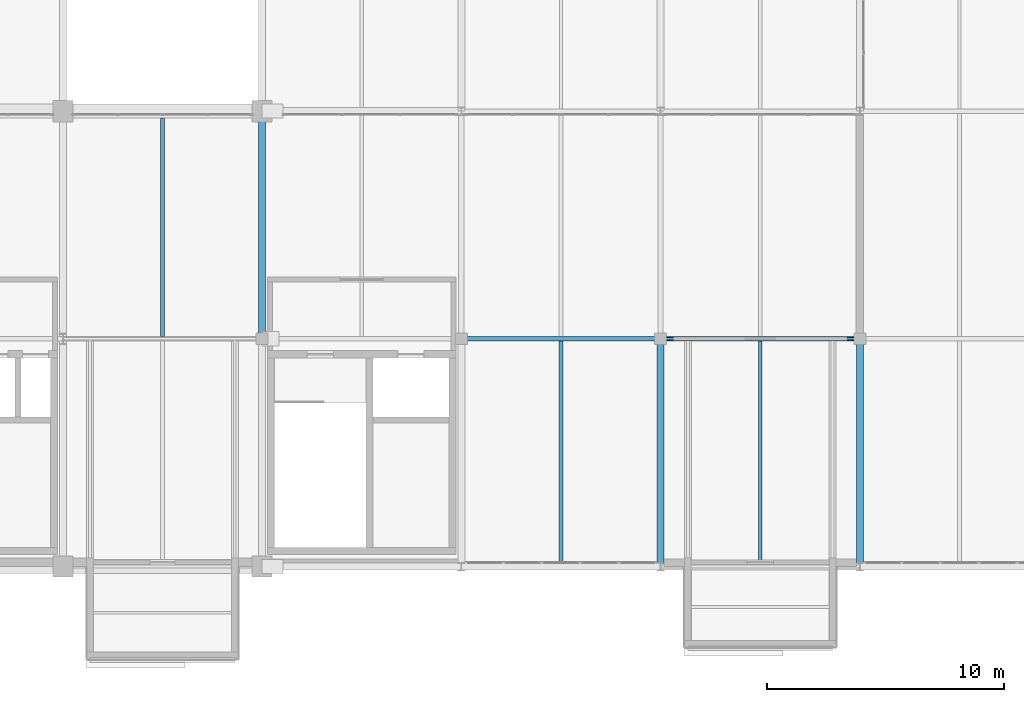
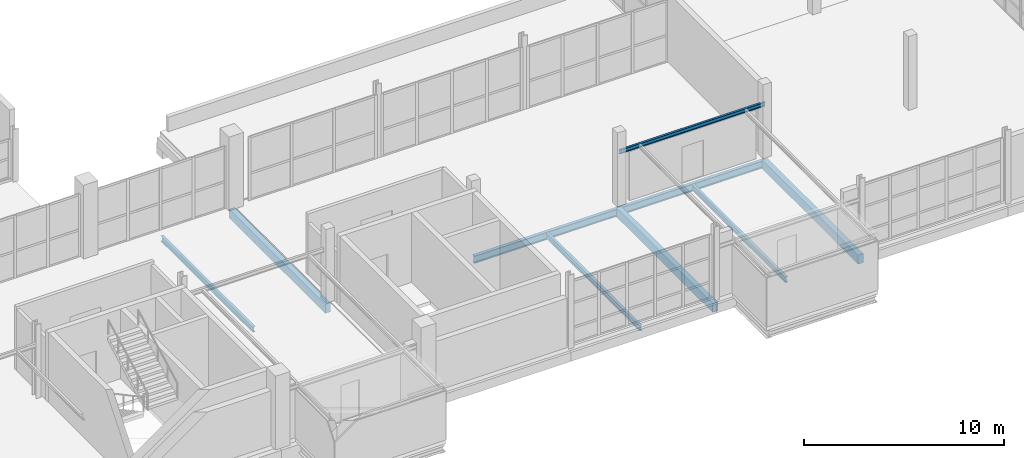
# One storey, part 48 of 103: 9 beams.
"""IFC4 building model written with IfcOpenShell, lengths in metres."""

from ifc_helpers import new_model, si_unit, direction, frame, origin, origin_2d, place, context, subcontext, project, spatial, rectangle, i_section, extrude, material, material_profile, profile_set, type_object, element, save


model = new_model("IFC4")

# Units and contexts
model_context = context("Model", 3, precision=1e-05, world=origin(), true_north=direction((0.0, 1.0)))
body_context = subcontext(model_context, "Body", "Model", "MODEL_VIEW")
ifc_project = project(units=[si_unit("LENGTHUNIT", "METRE"), si_unit("AREAUNIT", "SQUARE_METRE"), si_unit("VOLUMEUNIT", "CUBIC_METRE"), si_unit("PLANEANGLEUNIT", "RADIAN"), si_unit("MASSUNIT", "GRAM", prefix="KILO")], contexts=[model_context])

# Site, building, storey
site_placement = place(None, origin())
site = spatial("IfcSite", under=ifc_project, at=site_placement, CompositionType="ELEMENT")
building_placement = place(site_placement, origin())
building = spatial("IfcBuilding", under=site, at=building_placement, Name="Veltarok Museum of Natural Sciences", CompositionType="ELEMENT")
storey_placement = place(building_placement, frame((0.0, 0.0, 21.89990234375)))
storey = spatial("IfcBuildingStorey", under=building, at=storey_placement, Name="L04", CompositionType="ELEMENT", Elevation=21.89990234375)

# Beams
ifc_material_1 = material(Name="Steel S355J2", Category="steel")
ifc_material_profile_1 = material_profile(ifc_material_1, i_section(OverallWidth=0.1201171875, OverallDepth=0.239990234375, WebThickness=0.006103515625, FlangeThickness=0.009765625, FilletRadius=0.014892578125, at=origin_2d()), Name="IPE 240")
ifc_profile_set_1 = profile_set([ifc_material_profile_1], Name="Steel S355J2")
beam_type_1 = type_object("IfcBeamType", Name="Cabinet Box Secondary Joist IPE 240", PredefinedType="JOIST", material=ifc_profile_set_1)
beam_1_placement = place(storey_placement, frame((124.0, 9.60009765625, 3.130126953125), z_axis=(1.0, 0.0, 0.0), x_axis=(0.0, 1.0, 0.0)))
element("IfcBeam", 1, at=beam_1_placement, inside=storey, type_object=beam_type_1, Name="Cabinet Roof Tie Beam DB-24-I", PredefinedType="JOIST", context=body_context, shape_type="SweptSolid", body=[
    extrude(i_section(OverallWidth=0.1201171875, OverallDepth=0.239990234375, WebThickness=0.006103515625, FlangeThickness=0.009765625, FilletRadius=0.014892578125, at=origin_2d()), origin(), (0.0, 0.0, 1.0), 8.39990234375),
])
ifc_material_2 = material(Name="Precast concrete C40/50", Category="concrete")
ifc_material_profile_2 = material_profile(ifc_material_2, rectangle(XDim=0.300048828125, YDim=0.550048828125, at=origin_2d()), Name="RC 300x550")
ifc_profile_set_2 = profile_set([ifc_material_profile_2], Name="Precast concrete C40/50")
beam_type_2 = type_object("IfcBeamType", Name="East Wing Precast Spandrel RC 300x550", PredefinedType="SPANDREL", material=ifc_profile_set_2)
beam_2_placement = place(storey_placement, frame((107.199951171875, 9.60009765625, -0.52490234375), z_axis=(0.0, 1.0, 0.0), x_axis=(-1.0, 0.0, 0.0)))
element("IfcBeam", 2, at=beam_2_placement, inside=storey, type_object=beam_type_2, Name="Beam BM-SP02 L04 13/B-C", PredefinedType="SPANDREL", context=body_context, shape_type="SweptSolid", body=[
    extrude(rectangle(XDim=0.300048828125, YDim=0.550048828125, at=origin_2d()), origin(), (0.0, 0.0, 1.0), 9.599853515625),
])
for number, where, z_axis, x_axis, name in (
    (3, (124.0, 0.0, -0.52490234375), (0.0, 1.0, 0.0), (-1.0, 0.0, 0.0), "Beam BM-SP02 L04 15/A-B"),
    (4, (132.39990234375, 0.0, -0.52490234375), (0.0, 1.0, 0.0), (-1.0, 0.0, 0.0), "Beam BM-SP02 L04 16/A-B"),
):
    element("IfcBeam", number, at=place(storey_placement, frame(where, z_axis=z_axis, x_axis=x_axis)), inside=storey, type_object=beam_type_2, Name=name, PredefinedType="SPANDREL", context=body_context, shape_type="SweptSolid", body=[
        extrude(rectangle(XDim=0.300048828125, YDim=0.550048828125, at=origin_2d()), origin(), (0.0, 0.0, 1.0), 9.60009765625),
    ])
ifc_material_profile_3 = material_profile(ifc_material_1, i_section(OverallWidth=0.18994140625, OverallDepth=0.449951171875, WebThickness=0.009521484375, FlangeThickness=0.0146484375, FilletRadius=0.02099609375, at=origin_2d()), Name="IPE 450")
ifc_profile_set_3 = profile_set([ifc_material_profile_3], Name="Steel S355J2")
beam_type_3 = type_object("IfcBeamType", Name="Laboratory Floor Girder IPE 450", PredefinedType="BEAM", material=ifc_profile_set_3)
for number, where, z_axis, x_axis, name in (
    (5, (115.60009765625, 9.60009765625, -0.474853515625), (1.0, 0.0, 0.0), (0.0, 1.0, 0.0), "Beam BM-G05 L04 14-15/B"),
    (6, (124.0, 9.60009765625, -0.474853515625), (1.0, 0.0, 0.0), (0.0, 1.0, 0.0), "Beam BM-G05 L04 15-16/B"),
):
    element("IfcBeam", number, at=place(storey_placement, frame(where, z_axis=z_axis, x_axis=x_axis)), inside=storey, type_object=beam_type_3, Name=name, PredefinedType="BEAM", context=body_context, shape_type="SweptSolid", body=[
        extrude(i_section(OverallWidth=0.18994140625, OverallDepth=0.449951171875, WebThickness=0.009521484375, FlangeThickness=0.0146484375, FilletRadius=0.02099609375, at=origin_2d()), origin(), (0.0, 0.0, 1.0), 8.39990234375),
    ])
ifc_material_profile_4 = material_profile(ifc_material_1, i_section(OverallWidth=0.159912109375, OverallDepth=0.330078125, WebThickness=0.007568359375, FlangeThickness=0.011474609375, FilletRadius=0.01806640625, at=origin_2d()), Name="IPE 330")
ifc_profile_set_4 = profile_set([ifc_material_profile_4], Name="Steel S355J2")
beam_type_4 = type_object("IfcBeamType", Name="Medium-Bay Composite Joist IPE 330", PredefinedType="JOIST", material=ifc_profile_set_4)
beam_3_placement = place(storey_placement, frame((103.0, 9.697998046875, -0.414794921875), z_axis=(0.0, 1.0, 0.0), x_axis=(-1.0, 0.0, 0.0)))
element("IfcBeam", 7, at=beam_3_placement, inside=storey, type_object=beam_type_4, Name="Secondary Joist BM-J02 L04 12-13/B-C.1", PredefinedType="JOIST", context=body_context, shape_type="SweptSolid", body=[
    extrude(i_section(OverallWidth=0.159912109375, OverallDepth=0.330078125, WebThickness=0.007568359375, FlangeThickness=0.011474609375, FilletRadius=0.01806640625, at=origin_2d()), origin(), (0.0, 0.0, 1.0), 9.2041015625),
])
for number, where, z_axis, x_axis, name in (
    (8, (119.800048828125, 0.14794921875, -0.414794921875), (0.0, 1.0, 0.0), (-1.0, 0.0, 0.0), "Secondary Joist BM-J02 L04 14-15/A-B.1"),
    (9, (128.199951171875, 0.14794921875, -0.414794921875), (0.0, 1.0, 0.0), (-1.0, 0.0, 0.0), "Secondary Joist BM-J02 L04 15-16/A-B.1"),
):
    element("IfcBeam", number, at=place(storey_placement, frame(where, z_axis=z_axis, x_axis=x_axis)), inside=storey, type_object=beam_type_4, Name=name, PredefinedType="JOIST", context=body_context, shape_type="SweptSolid", body=[
        extrude(i_section(OverallWidth=0.159912109375, OverallDepth=0.330078125, WebThickness=0.007568359375, FlangeThickness=0.011474609375, FilletRadius=0.01806640625, at=origin_2d()), origin(), (0.0, 0.0, 1.0), 9.359130859375),
    ])

save(model, "model.ifc")
